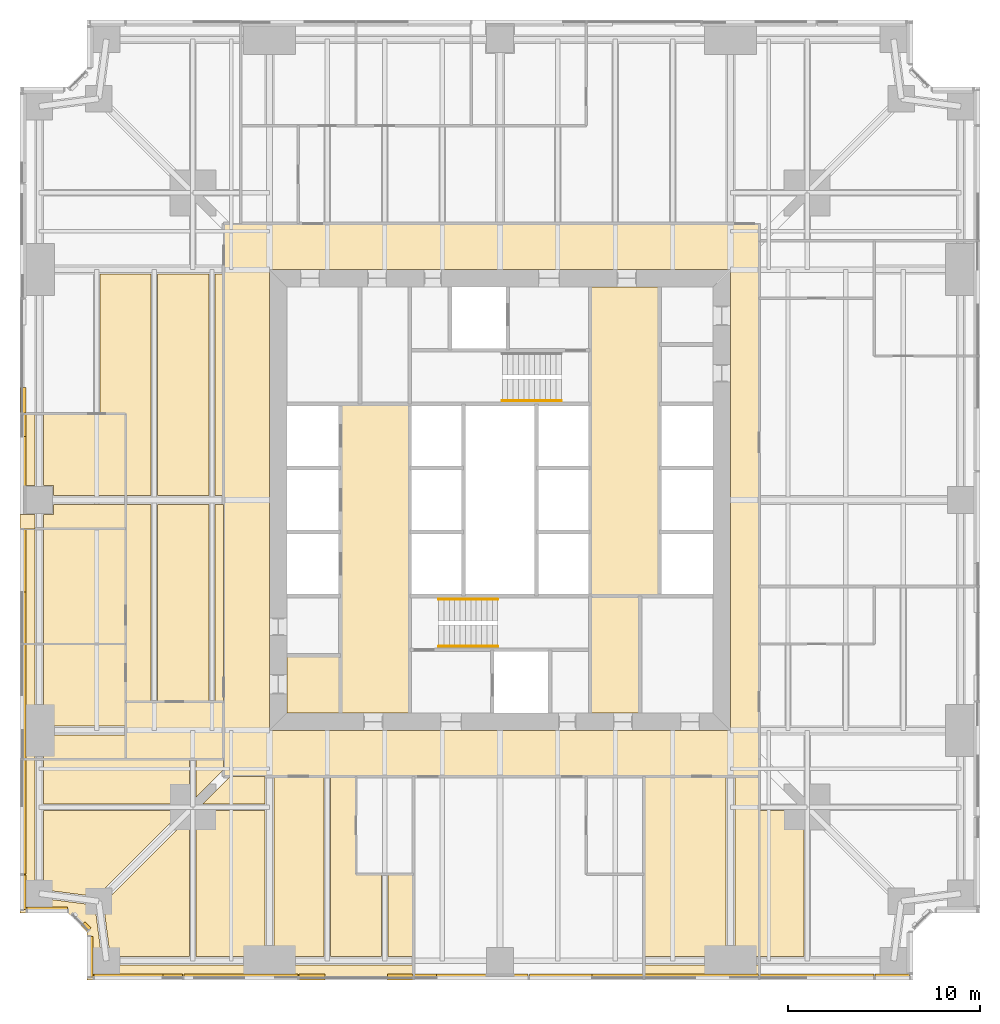
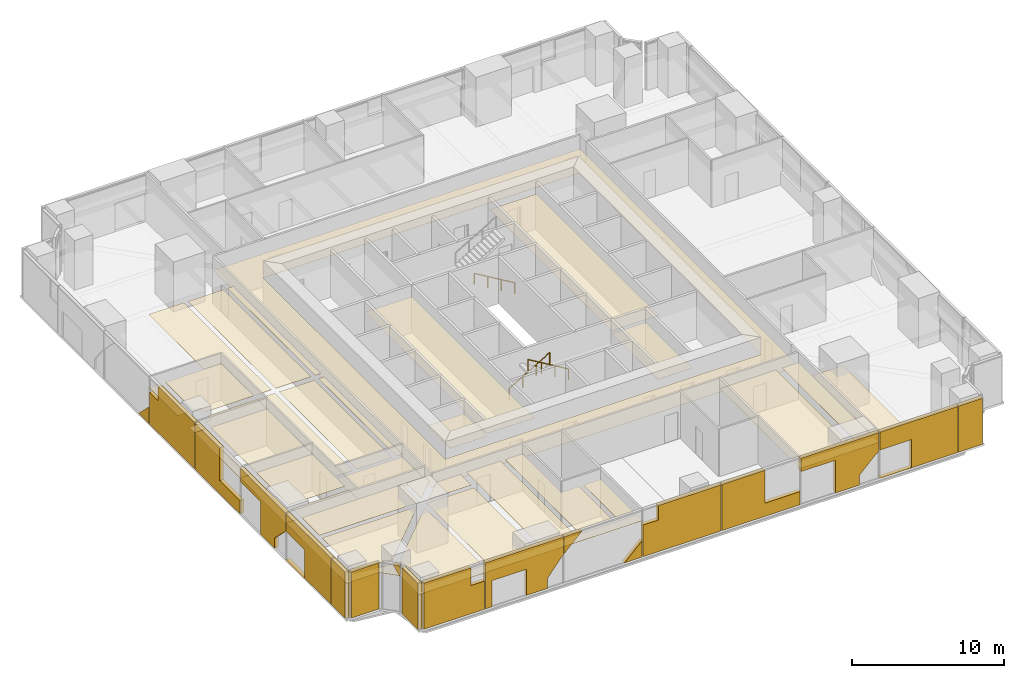
# One storey, part 12 of 14: 53 coverings, 3 railings.
"""IFC4 building model written with IfcOpenShell, lengths in metres."""

from ifc_helpers import new_model, si_unit, direction, frame, origin, origin_2d, place, context, subcontext, project, spatial, polyline, circle, outline, extrude, material, layer, layer_set, type_object, element, save


model = new_model("IFC4")

# Units and contexts
model_context = context("Model", 3, precision=1e-05, world=origin(), true_north=direction((0.0, 1.0)))
body_context = subcontext(model_context, "Body", "Model", "MODEL_VIEW")
ifc_project = project(units=[si_unit("LENGTHUNIT", "METRE"), si_unit("AREAUNIT", "SQUARE_METRE"), si_unit("VOLUMEUNIT", "CUBIC_METRE"), si_unit("PLANEANGLEUNIT", "RADIAN"), si_unit("MASSUNIT", "GRAM", prefix="KILO")], contexts=[model_context])

# Site, building, storey
site_placement = place(None, origin())
site = spatial("IfcSite", under=ifc_project, at=site_placement, CompositionType="ELEMENT")
building_placement = place(site_placement, origin())
building = spatial("IfcBuilding", under=site, at=building_placement, Name="Fenwick Lantern Interchange", CompositionType="ELEMENT")
storey_placement = place(building_placement, frame((0.0, 0.0, 87.0)))
storey = spatial("IfcBuildingStorey", under=building, at=storey_placement, Name="L20", CompositionType="ELEMENT", Elevation=87.0)

# Coverings
ifc_material_1 = material(Name="Mineral fibre acoustic tile on suspended grid")
ifc_layer_1 = layer(ifc_material_1, 0.02001953125)
ifc_layer_set_1 = layer_set([ifc_layer_1], Name="ACOUSTIC TILE CEILING 20")
covering_type_1 = type_object("IfcCoveringType", Name="ACOUSTIC TILE CEILING 20", PredefinedType="CEILING", material=ifc_layer_set_1)
covering_1_placement = place(storey_placement, frame((0.0, 0.0, 2.89990234375)))
element("IfcCovering", 1, at=covering_1_placement, inside=storey, type_object=covering_type_1, Name="Office suite ceiling", PredefinedType="CEILING", context=body_context, shape_type="SweptSolid", body=[
    extrude(outline(polyline([(9.172119140625, 8.827880859375), (9.166015625, 8.82177734375), (9.166015625, 1.224365234375), (12.767822265625, 1.224365234375), (12.767822265625, 8.833984375), (9.17822265625, 8.833984375), (9.172119140625, 8.827880859375)])), origin(), (0.0, 0.0, 1.0), 0.02001953125),
])
covering_2_placement = place(storey_placement, frame((0.0, 0.0, 2.89990234375)))
element("IfcCovering", 2, at=covering_2_placement, inside=storey, type_object=covering_type_1, Name="Office suite ceiling", PredefinedType="CEILING", context=body_context, shape_type="SweptSolid", body=[
    extrude(outline(polyline([(15.833984375, 10.60009765625), (13.232177734375, 10.60009765625), (13.232177734375, 1.224365234375), (15.833984375, 1.224365234375), (15.833984375, 10.60009765625)])), origin(), (0.0, 0.0, 1.0), 0.02001953125),
])
covering_3_placement = place(storey_placement, frame((0.0, 0.0, 2.89990234375)))
element("IfcCovering", 3, at=covering_3_placement, inside=storey, type_object=covering_type_1, Name="Office suite ceiling", PredefinedType="CEILING", context=body_context, shape_type="SweptSolid", body=[
    extrude(outline(polyline([(20.5, 0.0), (20.5, 0.775634765625), (13.0, 0.775634765625), (13.0, 0.775634765625), (4.5, 0.775634765625), (4.5, 1.0), (4.27734375, 0.97119140625), (3.8994140625, 3.8994140625), (0.97119140625, 4.27734375), (1.0, 4.5), (0.775634765625, 4.5), (0.775634765625, 11.5), (0.0, 11.5), (0.0, 3.5), (2.5, 3.5), (3.5, 2.5), (3.5, 0.0), (20.5, 0.0)])), origin(), (0.0, 0.0, 1.0), 0.02001953125),
])
covering_4_placement = place(storey_placement, frame((0.0, 0.0, 2.89990234375)))
element("IfcCovering", 4, at=covering_4_placement, inside=storey, type_object=covering_type_1, Name="Office suite ceiling", PredefinedType="CEILING", context=body_context, shape_type="SweptSolid", body=[
    extrude(outline(polyline([(3.995361328125, 4.33984375), (8.489501953125, 8.833984375), (1.224365234375, 8.833984375), (1.224365234375, 4.697265625), (3.995361328125, 4.33984375)])), origin(), (0.0, 0.0, 1.0), 0.02001953125),
])
covering_5_placement = place(storey_placement, frame((0.0, 0.0, 2.89990234375)))
element("IfcCovering", 5, at=covering_5_placement, inside=storey, type_object=covering_type_1, Name="Office suite ceiling", PredefinedType="CEILING", context=body_context, shape_type="SweptSolid", body=[
    extrude(outline(polyline([(4.697265625, 1.224365234375), (8.833984375, 1.224365234375), (8.833984375, 8.489501953125), (4.33984375, 3.995361328125), (4.697265625, 1.224365234375)])), origin(), (0.0, 0.0, 1.0), 0.02001953125),
])
covering_6_placement = place(storey_placement, frame((0.0, 0.0, 2.89990234375)))
element("IfcCovering", 6, at=covering_6_placement, inside=storey, type_object=covering_type_1, Name="Office suite ceiling", PredefinedType="CEILING", context=body_context, shape_type="SweptSolid", body=[
    extrude(outline(polyline([(17.5, 10.60009765625), (16.166015625, 10.60009765625), (16.166015625, 1.224365234375), (18.833984375, 1.224365234375), (18.833984375, 5.5), (17.5, 5.5), (17.5, 10.60009765625)])), origin(), (0.0, 0.0, 1.0), 0.02001953125),
])
covering_7_placement = place(storey_placement, frame((0.0, 0.0, 2.89990234375)))
element("IfcCovering", 7, at=covering_7_placement, inside=storey, type_object=covering_type_1, Name="Office suite ceiling", PredefinedType="CEILING", context=body_context, shape_type="SweptSolid", body=[
    extrude(outline(polyline([(8.833984375, 11.5), (1.224365234375, 11.5), (1.224365234375, 9.166015625), (8.82177734375, 9.166015625), (8.827880859375, 9.172119140625), (8.833984375, 9.17822265625), (8.833984375, 11.5)])), origin(), (0.0, 0.0, 1.0), 0.02001953125),
])
covering_8_placement = place(storey_placement, frame((0.0, 0.0, 2.89990234375)))
element("IfcCovering", 8, at=covering_8_placement, inside=storey, type_object=covering_type_1, Name="Office suite ceiling", PredefinedType="CEILING", context=body_context, shape_type="SweptSolid", body=[
    extrude(outline(polyline([(20.5, 1.224365234375), (20.5, 5.5), (19.166015625, 5.5), (19.166015625, 1.224365234375), (20.5, 1.224365234375)])), origin(), (0.0, 0.0, 1.0), 0.02001953125),
])
covering_9_placement = place(storey_placement, frame((0.0, 0.0, 2.89990234375)))
element("IfcCovering", 9, at=covering_9_placement, inside=storey, type_object=covering_type_1, Name="Office suite ceiling", PredefinedType="CEILING", context=body_context, shape_type="SweptSolid", body=[
    extrude(outline(polyline([(12.767822265625, 10.60009765625), (10.9443359375, 10.60009765625), (9.510498046875, 9.166015625), (12.767822265625, 9.166015625), (12.767822265625, 10.60009765625)])), origin(), (0.0, 0.0, 1.0), 0.02001953125),
])
covering_10_placement = place(storey_placement, frame((0.0, 0.0, 2.89990234375)))
element("IfcCovering", 10, at=covering_10_placement, inside=storey, type_object=covering_type_1, Name="Office suite ceiling", PredefinedType="CEILING", context=body_context, shape_type="SweptSolid", body=[
    extrude(outline(polyline([(10.60009765625, 11.5), (9.166015625, 11.5), (9.166015625, 9.510498046875), (10.60009765625, 10.9443359375), (10.60009765625, 11.5)])), origin(), (0.0, 0.0, 1.0), 0.02001953125),
])
covering_11_placement = place(storey_placement, frame((0.0, 0.0, 2.88427734375)))
element("IfcCovering", 11, at=covering_11_placement, inside=storey, type_object=covering_type_1, Name="Office suite ceiling", PredefinedType="CEILING", context=body_context, shape_type="SweptSolid", body=[
    extrude(outline(polyline([(32.5, 10.60009765625), (32.5, 1.224365234375), (36.767822265625, 1.224365234375), (36.767822265625, 10.60009765625), (32.5, 10.60009765625)])), origin(), (0.0, 0.0, 1.0), 0.02001953125),
])
covering_12_placement = place(storey_placement, frame((0.0, 0.0, 2.88427734375)))
element("IfcCovering", 12, at=covering_12_placement, inside=storey, type_object=covering_type_1, Name="Office suite ceiling", PredefinedType="CEILING", context=body_context, shape_type="SweptSolid", body=[
    extrude(outline(polyline([(38.5, 10.60009765625), (37.232177734375, 10.60009765625), (37.232177734375, 1.224365234375), (38.5, 1.224365234375), (38.5, 10.60009765625)])), origin(), (0.0, 0.0, 1.0), 0.02001953125),
])
covering_13_placement = place(storey_placement, frame((0.0, 0.0, 2.88427734375)))
element("IfcCovering", 13, at=covering_13_placement, inside=storey, type_object=covering_type_1, Name="Office suite ceiling", PredefinedType="CEILING", context=body_context, shape_type="SweptSolid", body=[
    extrude(outline(polyline([(32.5, 0.0), (38.5, 0.0), (38.5, 0.775634765625), (37.0, 0.775634765625), (37.0, 0.775634765625), (32.5, 0.775634765625), (32.5, 0.0)])), origin(), (0.0, 0.0, 1.0), 0.02001953125),
])
covering_14_placement = place(storey_placement, frame((0.0, 0.0, 2.89990234375)))
element("IfcCovering", 14, at=covering_14_placement, inside=storey, type_object=covering_type_1, Name="Office suite ceiling", PredefinedType="CEILING", context=body_context, shape_type="SweptSolid", body=[
    extrude(outline(polyline([(38.5, 8.833984375), (38.5, 1.224365234375), (40.833984375, 1.224365234375), (40.833984375, 8.82177734375), (40.827880859375, 8.827880859375), (40.82177734375, 8.833984375), (38.5, 8.833984375)])), origin(), (0.0, 0.0, 1.0), 0.02001953125),
])
covering_15_placement = place(storey_placement, frame((0.0, 0.0, 2.89990234375)))
element("IfcCovering", 15, at=covering_15_placement, inside=storey, type_object=covering_type_1, Name="Office suite ceiling", PredefinedType="CEILING", context=body_context, shape_type="SweptSolid", body=[
    extrude(outline(polyline([(7.166015625, 25.224365234375), (9.833984375, 25.224365234375), (9.833984375, 36.767822265625), (7.166015625, 36.767822265625), (7.166015625, 25.224365234375)])), origin(), (0.0, 0.0, 1.0), 0.02001953125),
])
covering_16_placement = place(storey_placement, frame((0.0, 0.0, 2.89990234375)))
element("IfcCovering", 16, at=covering_16_placement, inside=storey, type_object=covering_type_1, Name="Office suite ceiling", PredefinedType="CEILING", context=body_context, shape_type="SweptSolid", body=[
    extrude(outline(polyline([(7.166015625, 14.5), (9.833984375, 14.5), (9.833984375, 24.775634765625), (7.166015625, 24.775634765625), (7.166015625, 14.5)])), origin(), (0.0, 0.0, 1.0), 0.02001953125),
])
covering_17_placement = place(storey_placement, frame((0.0, 0.0, 2.89990234375)))
element("IfcCovering", 17, at=covering_17_placement, inside=storey, type_object=covering_type_1, Name="Office suite ceiling", PredefinedType="CEILING", context=body_context, shape_type="SweptSolid", body=[
    extrude(outline(polyline([(5.5, 29.5), (5.5, 25.224365234375), (6.833984375, 25.224365234375), (6.833984375, 36.767822265625), (4.166015625, 36.767822265625), (4.166015625, 29.5), (5.5, 29.5)])), origin(), (0.0, 0.0, 1.0), 0.02001953125),
])
covering_18_placement = place(storey_placement, frame((0.0, 0.0, 2.89990234375)))
element("IfcCovering", 18, at=covering_18_placement, inside=storey, type_object=covering_type_1, Name="Office suite ceiling", PredefinedType="CEILING", context=body_context, shape_type="SweptSolid", body=[
    extrude(outline(polyline([(5.5, 14.5), (6.833984375, 14.5), (6.833984375, 24.775634765625), (5.5, 24.775634765625), (5.5, 14.5)])), origin(), (0.0, 0.0, 1.0), 0.02001953125),
])
covering_19_placement = place(storey_placement, frame((0.0, 0.0, 2.89990234375)))
element("IfcCovering", 19, at=covering_19_placement, inside=storey, type_object=covering_type_1, Name="Office suite ceiling", PredefinedType="CEILING", context=body_context, shape_type="SweptSolid", body=[
    extrude(outline(polyline([(10.60009765625, 25.224365234375), (10.60009765625, 36.767822265625), (10.166015625, 36.767822265625), (10.166015625, 25.224365234375), (10.60009765625, 25.224365234375)])), origin(), (0.0, 0.0, 1.0), 0.02001953125),
])
covering_20_placement = place(storey_placement, frame((0.0, 0.0, 2.89990234375)))
element("IfcCovering", 20, at=covering_20_placement, inside=storey, type_object=covering_type_1, Name="Office suite ceiling", PredefinedType="CEILING", context=body_context, shape_type="SweptSolid", body=[
    extrude(outline(polyline([(10.60009765625, 14.5), (10.60009765625, 24.775634765625), (10.166015625, 24.775634765625), (10.166015625, 14.5), (10.60009765625, 14.5)])), origin(), (0.0, 0.0, 1.0), 0.02001953125),
])
covering_21_placement = place(storey_placement, frame((0.0, 0.0, 2.88427734375)))
element("IfcCovering", 21, at=covering_21_placement, inside=storey, type_object=covering_type_1, Name="Office ceiling", PredefinedType="CEILING", context=body_context, shape_type="SweptSolid", body=[
    extrude(outline(polyline([(5.5, 29.5), (1.224365234375, 29.5), (1.224365234375, 25.75), (1.75, 25.75), (1.75, 25.224365234375), (5.5, 25.224365234375), (5.5, 29.5)])), origin(), (0.0, 0.0, 1.0), 0.02001953125),
])
covering_22_placement = place(storey_placement, frame((0.0, 0.0, 2.88427734375)))
element("IfcCovering", 22, at=covering_22_placement, inside=storey, type_object=covering_type_1, Name="Office ceiling", PredefinedType="CEILING", context=body_context, shape_type="SweptSolid", body=[
    extrude(outline(polyline([(5.5, 23.5), (5.5, 24.775634765625), (1.75, 24.775634765625), (1.75, 24.25), (1.224365234375, 24.25), (1.224365234375, 23.5), (5.5, 23.5)])), origin(), (0.0, 0.0, 1.0), 0.02001953125),
])
covering_23_placement = place(storey_placement, frame((0.0, 0.0, 2.88427734375)))
element("IfcCovering", 23, at=covering_23_placement, inside=storey, type_object=covering_type_1, Name="Office ceiling", PredefinedType="CEILING", context=body_context, shape_type="SweptSolid", body=[
    extrude(outline(polyline([(0.775634765625, 29.5), (0.0, 29.5), (0.0, 25.75), (0.775634765625, 25.75), (0.775634765625, 29.5)])), origin(), (0.0, 0.0, 1.0), 0.02001953125),
])
covering_24_placement = place(storey_placement, frame((0.0, 0.0, 2.88427734375)))
element("IfcCovering", 24, at=covering_24_placement, inside=storey, type_object=covering_type_1, Name="Office ceiling", PredefinedType="CEILING", context=body_context, shape_type="SweptSolid", body=[
    extrude(outline(polyline([(0.0, 23.5), (0.775634765625, 23.5), (0.775634765625, 24.25), (0.0, 24.25), (0.0, 23.5)])), origin(), (0.0, 0.0, 1.0), 0.02001953125),
])
covering_25_placement = place(storey_placement, frame((0.0, 0.0, 2.88427734375)))
element("IfcCovering", 25, at=covering_25_placement, inside=storey, type_object=covering_type_1, Name="Meeting room ceiling", PredefinedType="CEILING", context=body_context, shape_type="SweptSolid", body=[
    extrude(outline(polyline([(5.5, 23.5), (1.224365234375, 23.5), (1.224365234375, 17.5), (5.5, 17.5), (5.5, 23.5)])), origin(), (0.0, 0.0, 1.0), 0.02001953125),
])
covering_26_placement = place(storey_placement, frame((0.0, 0.0, 2.88427734375)))
element("IfcCovering", 26, at=covering_26_placement, inside=storey, type_object=covering_type_1, Name="Meeting room ceiling", PredefinedType="CEILING", context=body_context, shape_type="SweptSolid", body=[
    extrude(outline(polyline([(0.0, 17.5), (0.775634765625, 17.5), (0.775634765625, 23.5), (0.0, 23.5), (0.0, 17.5)])), origin(), (0.0, 0.0, 1.0), 0.02001953125),
])
covering_27_placement = place(storey_placement, frame((0.0, 0.0, 2.88427734375)))
element("IfcCovering", 27, at=covering_27_placement, inside=storey, type_object=covering_type_1, Name="Office ceiling", PredefinedType="CEILING", context=body_context, shape_type="SweptSolid", body=[
    extrude(outline(polyline([(5.5, 17.5), (1.224365234375, 17.5), (1.224365234375, 13.232177734375), (5.5, 13.232177734375), (5.5, 17.5)])), origin(), (0.0, 0.0, 1.0), 0.02001953125),
])
covering_28_placement = place(storey_placement, frame((0.0, 0.0, 2.88427734375)))
element("IfcCovering", 28, at=covering_28_placement, inside=storey, type_object=covering_type_1, Name="Office ceiling", PredefinedType="CEILING", context=body_context, shape_type="SweptSolid", body=[
    extrude(outline(polyline([(5.5, 11.5), (5.5, 12.767822265625), (1.224365234375, 12.767822265625), (1.224365234375, 11.5), (5.5, 11.5)])), origin(), (0.0, 0.0, 1.0), 0.02001953125),
])
covering_29_placement = place(storey_placement, frame((0.0, 0.0, 2.88427734375)))
element("IfcCovering", 29, at=covering_29_placement, inside=storey, type_object=covering_type_1, Name="Office ceiling", PredefinedType="CEILING", context=body_context, shape_type="SweptSolid", body=[
    extrude(outline(polyline([(0.0, 11.5), (0.775634765625, 11.5), (0.775634765625, 13.0), (0.775634765625, 13.0), (0.775634765625, 17.5), (0.0, 17.5), (0.0, 11.5)])), origin(), (0.0, 0.0, 1.0), 0.02001953125),
])
ifc_material_2 = material(Name="Granite cladding, warm grey flamed finish, on aluminium carrier frame", Category="masonry")
ifc_layer_2 = layer(ifc_material_2, 0.300048828125)
ifc_layer_set_2 = layer_set([ifc_layer_2], Name="BRACE CASING PANEL 300")
covering_type_2 = type_object("IfcCoveringType", Name="BRACE CASING PANEL 300", PredefinedType="CLADDING", material=ifc_layer_set_2)
covering_30_placement = place(storey_placement, frame((3.60009765625, 0.10009765625, 0.0), z_axis=(0.0, 0.0, 1.0), x_axis=(1.0, 0.0, 0.0)))
element("IfcCovering", 30, at=covering_30_placement, inside=storey, type_object=covering_type_2, Name="Brace casing 01 bay 00a", PredefinedType="CLADDING", context=body_context, shape_type="SweptSolid", body=[
    extrude(outline(polyline([(0.264892578125, 0.0), (4.867431640625, 0.0), (4.867431640625, 2.259765625), (3.841796875, 2.259765625), (3.841796875, 3.699951171875), (0.264892578125, 3.699951171875), (0.264892578125, 0.0)])), frame((0.0, 0.2001953125, 0.0), z_axis=(0.0, -1.0, 0.0), x_axis=(1.0, 0.0, 0.0)), (0.0, 0.0, 1.0), 0.300048828125),
])
covering_31_placement = place(storey_placement, frame((3.60009765625, 0.10009765625, 0.0), z_axis=(0.0, 0.0, 1.0), x_axis=(1.0, 0.0, 0.0)))
element("IfcCovering", 31, at=covering_31_placement, inside=storey, type_object=covering_type_2, Name="Brace casing 01 bay 01a", PredefinedType="CLADDING", context=body_context, shape_type="SweptSolid", body=[
    extrude(outline(polyline([(4.9326171875, 0.0), (5.46240234375, 0.0), (5.46240234375, 2.098876953125), (8.08251953125, 2.098876953125), (8.08251953125, 0.0), (9.68115234375, 0.0), (9.68115234375, 0.820068359375), (10.7431640625, 2.147705078125), (10.867431640625, 2.27197265625), (10.867431640625, 3.699951171875), (4.9326171875, 3.699951171875), (4.9326171875, 0.0)])), frame((0.0, 0.2001953125, 0.0), z_axis=(0.0, -1.0, 0.0), x_axis=(1.0, 0.0, 0.0)), (0.0, 0.0, 1.0), 0.300048828125),
])
covering_32_placement = place(storey_placement, frame((3.60009765625, 0.10009765625, 2.3369140625), z_axis=(0.0, 0.0, 1.0), x_axis=(1.0, 0.0, 0.0)))
element("IfcCovering", 32, at=covering_32_placement, inside=storey, type_object=covering_type_2, Name="Brace casing 01 bay 02a", PredefinedType="CLADDING", context=body_context, shape_type="SweptSolid", body=[
    extrude(outline(polyline([(10.9326171875, 0.0), (12.295654296875, 1.363037109375), (10.9326171875, 1.363037109375), (10.9326171875, 0.0)])), frame((0.0, 0.2001953125, 0.0), z_axis=(0.0, -1.0, 0.0), x_axis=(1.0, 0.0, 0.0)), (0.0, 0.0, 1.0), 0.300048828125),
])
covering_33_placement = place(storey_placement, frame((3.60009765625, 0.10009765625, 0.0), z_axis=(0.0, 0.0, 1.0), x_axis=(1.0, 0.0, 0.0)))
element("IfcCovering", 33, at=covering_33_placement, inside=storey, type_object=covering_type_2, Name="Brace casing 01 bay 02b", PredefinedType="CLADDING", context=body_context, shape_type="SweptSolid", body=[
    extrude(outline(polyline([(15.53125, 0.0), (16.867431640625, 0.0), (16.867431640625, 1.3232421875), (15.53125, 0.0)])), frame((0.0, 0.2001953125, 0.0), z_axis=(0.0, -1.0, 0.0), x_axis=(1.0, 0.0, 0.0)), (0.0, 0.0, 1.0), 0.300048828125),
])
covering_34_placement = place(storey_placement, frame((3.60009765625, 0.10009765625, 0.0), z_axis=(0.0, 0.0, 1.0), x_axis=(1.0, 0.0, 0.0)))
element("IfcCovering", 34, at=covering_34_placement, inside=storey, type_object=covering_type_2, Name="Brace casing 01 bay 03a", PredefinedType="CLADDING", context=body_context, shape_type="SweptSolid", body=[
    extrude(outline(polyline([(16.9326171875, 0.0), (22.867431640625, 0.0), (22.867431640625, 3.699951171875), (18.097412109375, 3.699951171875), (18.097412109375, 2.54150390625), (16.9326171875, 2.54150390625), (16.9326171875, 0.0)])), frame((0.0, 0.2001953125, 0.0), z_axis=(0.0, -1.0, 0.0), x_axis=(1.0, 0.0, 0.0)), (0.0, 0.0, 1.0), 0.300048828125),
])
covering_35_placement = place(storey_placement, frame((3.60009765625, 0.10009765625, 0.0), z_axis=(0.0, 0.0, 1.0), x_axis=(1.0, 0.0, 0.0)))
element("IfcCovering", 35, at=covering_35_placement, inside=storey, type_object=covering_type_2, Name="Brace casing 01 bay 04a", PredefinedType="CLADDING", context=body_context, shape_type="SweptSolid", body=[
    extrude(outline(polyline([(22.9326171875, 0.0), (28.867431640625, 0.0), (28.867431640625, 1.057373046875), (26.200927734375, 1.057373046875), (26.200927734375, 3.699951171875), (22.9326171875, 3.699951171875), (22.9326171875, 0.0)])), frame((0.0, 0.2001953125, 0.0), z_axis=(0.0, -1.0, 0.0), x_axis=(1.0, 0.0, 0.0)), (0.0, 0.0, 1.0), 0.300048828125),
])
covering_36_placement = place(storey_placement, frame((3.60009765625, 0.10009765625, 0.0), z_axis=(0.0, 0.0, 1.0), x_axis=(1.0, 0.0, 0.0)))
element("IfcCovering", 36, at=covering_36_placement, inside=storey, type_object=covering_type_2, Name="Brace casing 01 bay 05a", PredefinedType="CLADDING", context=body_context, shape_type="SweptSolid", body=[
    extrude(outline(polyline([(31.567626953125, 0.0), (33.39990234375, 0.0), (33.39990234375, 0.804443359375), (34.602294921875, 2.0068359375), (34.867431640625, 2.218994140625), (34.867431640625, 3.699951171875), (28.9326171875, 3.699951171875), (28.9326171875, 2.636962890625), (31.567626953125, 2.636962890625), (31.567626953125, 0.0)])), frame((0.0, 0.2001953125, 0.0), z_axis=(0.0, -1.0, 0.0), x_axis=(1.0, 0.0, 0.0)), (0.0, 0.0, 1.0), 0.300048828125),
])
covering_37_placement = place(storey_placement, frame((3.60009765625, 0.10009765625, 0.0), z_axis=(0.0, 0.0, 1.0), x_axis=(1.0, 0.0, 0.0)))
element("IfcCovering", 37, at=covering_37_placement, inside=storey, type_object=covering_type_2, Name="Brace casing 01 bay 06a", PredefinedType="CLADDING", context=body_context, shape_type="SweptSolid", body=[
    extrude(outline(polyline([(34.9326171875, 0.0), (40.867431640625, 0.0), (40.867431640625, 3.699951171875), (34.9326171875, 3.699951171875), (34.9326171875, 2.27099609375), (37.342529296875, 2.27099609375), (37.342529296875, 0.000732421875), (34.9326171875, 0.000732421875), (34.9326171875, 0.0)])), frame((0.0, 0.2001953125, 0.0), z_axis=(0.0, -1.0, 0.0), x_axis=(1.0, 0.0, 0.0)), (0.0, 0.0, 1.0), 0.300048828125),
])
covering_38_placement = place(storey_placement, frame((3.60009765625, 0.10009765625, 0.0), z_axis=(0.0, 0.0, 1.0), x_axis=(1.0, 0.0, 0.0)))
element("IfcCovering", 38, at=covering_38_placement, inside=storey, type_object=covering_type_2, Name="Brace casing 01 bay 07a", PredefinedType="CLADDING", context=body_context, shape_type="SweptSolid", body=[
    extrude(outline(polyline([(40.9326171875, 0.0), (42.735107421875, 0.0), (42.735107421875, 3.699951171875), (40.9326171875, 3.699951171875), (40.9326171875, 0.0)])), frame((0.0, 0.2001953125, 0.0), z_axis=(0.0, -1.0, 0.0), x_axis=(1.0, 0.0, 0.0)), (0.0, 0.0, 1.0), 0.300048828125),
])
covering_39_placement = place(storey_placement, frame((0.10009765625, 46.39990234375, 0.0), z_axis=(0.0, 0.0, 1.0), x_axis=(0.0, -1.0, 0.0)))
element("IfcCovering", 39, at=covering_39_placement, inside=storey, type_object=covering_type_2, Name="Brace casing 13 bay 02b", PredefinedType="CLADDING", context=body_context, shape_type="SweptSolid", body=[
    extrude(outline(polyline([(15.53125, 0.0), (16.867431640625, 0.0), (16.867431640625, 1.3232421875), (15.53125, 0.0)])), frame((0.0, 0.2001953125, 0.0), z_axis=(0.0, -1.0, 0.0), x_axis=(1.0, 0.0, 0.0)), (0.0, 0.0, 1.0), 0.300048828125),
])
covering_40_placement = place(storey_placement, frame((0.10009765625, 46.39990234375, 0.0), z_axis=(0.0, 0.0, 1.0), x_axis=(0.0, -1.0, 0.0)))
element("IfcCovering", 40, at=covering_40_placement, inside=storey, type_object=covering_type_2, Name="Brace casing 13 bay 03a", PredefinedType="CLADDING", context=body_context, shape_type="SweptSolid", body=[
    extrude(outline(polyline([(16.9326171875, 0.0), (22.867431640625, 0.0), (22.867431640625, 3.699951171875), (18.097412109375, 3.699951171875), (18.097412109375, 2.54150390625), (16.9326171875, 2.54150390625), (16.9326171875, 0.0)])), frame((0.0, 0.2001953125, 0.0), z_axis=(0.0, -1.0, 0.0), x_axis=(1.0, 0.0, 0.0)), (0.0, 0.0, 1.0), 0.300048828125),
])
covering_41_placement = place(storey_placement, frame((0.10009765625, 46.39990234375, 0.0), z_axis=(0.0, 0.0, 1.0), x_axis=(0.0, -1.0, 0.0)))
element("IfcCovering", 41, at=covering_41_placement, inside=storey, type_object=covering_type_2, Name="Brace casing 13 bay 04a", PredefinedType="CLADDING", context=body_context, shape_type="SweptSolid", body=[
    extrude(outline(polyline([(22.9326171875, 0.0), (28.867431640625, 0.0), (28.867431640625, 1.057373046875), (26.200927734375, 1.057373046875), (26.200927734375, 3.699951171875), (22.9326171875, 3.699951171875), (22.9326171875, 0.0)])), frame((0.0, 0.2001953125, 0.0), z_axis=(0.0, -1.0, 0.0), x_axis=(1.0, 0.0, 0.0)), (0.0, 0.0, 1.0), 0.300048828125),
])
covering_42_placement = place(storey_placement, frame((0.10009765625, 46.39990234375, 0.0), z_axis=(0.0, 0.0, 1.0), x_axis=(0.0, -1.0, 0.0)))
element("IfcCovering", 42, at=covering_42_placement, inside=storey, type_object=covering_type_2, Name="Brace casing 13 bay 05a", PredefinedType="CLADDING", context=body_context, shape_type="SweptSolid", body=[
    extrude(outline(polyline([(31.567626953125, 0.0), (33.39990234375, 0.0), (33.39990234375, 0.804443359375), (34.602294921875, 2.0068359375), (34.867431640625, 2.218994140625), (34.867431640625, 3.699951171875), (28.9326171875, 3.699951171875), (28.9326171875, 2.636962890625), (31.567626953125, 2.636962890625), (31.567626953125, 0.0)])), frame((0.0, 0.2001953125, 0.0), z_axis=(0.0, -1.0, 0.0), x_axis=(1.0, 0.0, 0.0)), (0.0, 0.0, 1.0), 0.300048828125),
])
covering_43_placement = place(storey_placement, frame((0.10009765625, 46.39990234375, 0.0), z_axis=(0.0, 0.0, 1.0), x_axis=(0.0, -1.0, 0.0)))
element("IfcCovering", 43, at=covering_43_placement, inside=storey, type_object=covering_type_2, Name="Brace casing 13 bay 06a", PredefinedType="CLADDING", context=body_context, shape_type="SweptSolid", body=[
    extrude(outline(polyline([(34.9326171875, 0.0), (40.867431640625, 0.0), (40.867431640625, 3.699951171875), (34.9326171875, 3.699951171875), (34.9326171875, 2.27099609375), (37.342529296875, 2.27099609375), (37.342529296875, 0.000732421875), (34.9326171875, 0.000732421875), (34.9326171875, 0.0)])), frame((0.0, 0.2001953125, 0.0), z_axis=(0.0, -1.0, 0.0), x_axis=(1.0, 0.0, 0.0)), (0.0, 0.0, 1.0), 0.300048828125),
])
covering_44_placement = place(storey_placement, frame((0.10009765625, 46.39990234375, 0.0), z_axis=(0.0, 0.0, 1.0), x_axis=(0.0, -1.0, 0.0)))
element("IfcCovering", 44, at=covering_44_placement, inside=storey, type_object=covering_type_2, Name="Brace casing 13 bay 07a", PredefinedType="CLADDING", context=body_context, shape_type="SweptSolid", body=[
    extrude(outline(polyline([(40.9326171875, 0.0), (42.735107421875, 0.0), (42.735107421875, 3.699951171875), (40.9326171875, 3.699951171875), (40.9326171875, 0.0)])), frame((0.0, 0.2001953125, 0.0), z_axis=(0.0, -1.0, 0.0), x_axis=(1.0, 0.0, 0.0)), (0.0, 0.0, 1.0), 0.300048828125),
])
covering_45_placement = place(storey_placement, frame((0.10009765625, 3.60009765625, 0.0), z_axis=(0.0, 0.0, 1.0), x_axis=(1.0, 0.0, 0.0)))
element("IfcCovering", 45, at=covering_45_placement, inside=storey, type_object=covering_type_2, Name="Brace casing 14 bay 00a", PredefinedType="CLADDING", context=body_context, shape_type="SweptSolid", body=[
    extrude(outline(polyline([(0.264892578125, 0.0), (2.37646484375, 0.0), (2.37646484375, 3.699951171875), (0.264892578125, 3.699951171875), (0.264892578125, 0.0)])), frame((0.0, 0.2001953125, 0.0), z_axis=(0.0, -1.0, 0.0), x_axis=(1.0, 0.0, 0.0)), (0.0, 0.0, 1.0), 0.300048828125),
])
covering_46_placement = place(storey_placement, frame((2.54150390625, 3.60009765625, 2.832763671875), z_axis=(0.0, 0.0, 1.0), x_axis=(0.707106781187, -0.707106781187, 0.0)))
element("IfcCovering", 46, at=covering_46_placement, inside=storey, type_object=covering_type_2, Name="Brace casing 15 bay 00b", PredefinedType="CLADDING", context=body_context, shape_type="SweptSolid", body=[
    extrude(outline(polyline([(1.43212890625, 0.0), (1.43212890625, 0.8671875), (0.993408203125, 0.8671875), (1.43212890625, 0.0)])), frame((0.0, 0.2001953125, 0.0), z_axis=(0.0, -1.0, 0.0), x_axis=(1.0, 0.0, 0.0)), (0.0, 0.0, 1.0), 0.300048828125),
])
covering_47_placement = place(storey_placement, frame((3.60009765625, 2.54150390625, 0.0), z_axis=(0.0, 0.0, 1.0), x_axis=(0.0, -1.0, 0.0)))
element("IfcCovering", 47, at=covering_47_placement, inside=storey, type_object=covering_type_2, Name="Brace casing 16 bay 00a", PredefinedType="CLADDING", context=body_context, shape_type="SweptSolid", body=[
    extrude(outline(polyline([(0.264892578125, 0.0), (2.37646484375, 0.0), (2.37646484375, 3.699951171875), (0.264892578125, 3.699951171875), (0.264892578125, 0.0)])), frame((0.0, 0.2001953125, 0.0), z_axis=(0.0, -1.0, 0.0), x_axis=(1.0, 0.0, 0.0)), (0.0, 0.0, 1.0), 0.300048828125),
])

# Railings
ifc_material_3 = material(Name="Stainless steel handrail", Category="steel")
railing_type = type_object("IfcRailingType", Name="HANDRAIL 900", PredefinedType="HANDRAIL", material=ifc_material_3)
railing_placement = place(storey_placement, frame((21.800048828125, 19.825927734375, 0.166748046875)))
element("IfcRailing", 48, at=railing_placement, inside=storey, type_object=railing_type, Name="L20/STAIR/ST1/HR1", PredefinedType="HANDRAIL", context=body_context, shape_type="SweptSolid", body=[
    extrude(circle(Radius=0.02392578125, at=origin_2d()), frame((0.0, 0.0, 0.8759765625), z_axis=(0.859290745958, 0.0, 0.51148745235), x_axis=(0.0, 1.0, 0.0)), (0.0, 0.0, 1.0), 3.584228515625),
    extrude(circle(Radius=0.02099609375, at=origin_2d()), origin(), (0.0, 0.0, 1.0), 0.851806640625),
    extrude(circle(Radius=0.02099609375, at=origin_2d()), frame((1.026611328125, 0.0, 0.611083984375)), (0.0, 0.0, 1.0), 0.851806640625),
    extrude(circle(Radius=0.02099609375, at=origin_2d()), frame((2.05322265625, 0.0, 1.22216796875)), (0.0, 0.0, 1.0), 0.851806640625),
    extrude(circle(Radius=0.02099609375, at=origin_2d()), frame((3.079833984375, 0.0, 1.833251953125)), (0.0, 0.0, 1.0), 0.851806640625),
])
for number, where, name in (
    (49, (24.8798828125, 17.3740234375, 2.166748046875), "L20/STAIR/ST1/HR2"),
    (50, (28.199951171875, 30.174072265625, 0.166748046875), "L20/STAIR/ST2/HR1"),
):
    element("IfcRailing", number, at=place(storey_placement, frame(where)), inside=storey, type_object=railing_type, Name=name, PredefinedType="HANDRAIL", context=body_context, shape_type="SweptSolid", body=[
        extrude(circle(Radius=0.02392578125, at=origin_2d()), frame((0.0, 0.0, 0.8759765625), z_axis=(-0.859290745958, 0.0, 0.51148745235), x_axis=(0.0, -1.0, 0.0)), (0.0, 0.0, 1.0), 3.584228515625),
        extrude(circle(Radius=0.02099609375, at=origin_2d()), origin(), (0.0, 0.0, 1.0), 0.851806640625),
        extrude(circle(Radius=0.02099609375, at=origin_2d()), frame((-1.026611328125, 0.0, 0.611083984375)), (0.0, 0.0, 1.0), 0.851806640625),
        extrude(circle(Radius=0.02099609375, at=origin_2d()), frame((-2.05322265625, 0.0, 1.22216796875)), (0.0, 0.0, 1.0), 0.851806640625),
        extrude(circle(Radius=0.02099609375, at=origin_2d()), frame((-3.079833984375, 0.0, 1.833251953125)), (0.0, 0.0, 1.0), 0.851806640625),
    ])

# Coverings
ifc_material_4 = material(Name="Moisture resistant gypsum board on suspended frame, painted")
ifc_layer_3 = layer(ifc_material_4, 0.014892578125)
ifc_layer_set_3 = layer_set([ifc_layer_3], Name="MOISTURE RESISTANT CEILING 15")
covering_type_3 = type_object("IfcCoveringType", Name="MOISTURE RESISTANT CEILING 15", PredefinedType="CEILING", material=ifc_layer_set_3)
covering_48_placement = place(storey_placement, frame((0.0, 0.0, 2.60009765625)))
element("IfcCovering", 51, at=covering_48_placement, inside=storey, type_object=covering_type_3, Name="Men's WC ceiling", PredefinedType="CEILING", context=body_context, shape_type="SweptSolid", body=[
    extrude(outline(polyline([(29.699951171875, 13.89990234375), (32.300048828125, 13.89990234375), (32.300048828125, 20.0), (29.699951171875, 20.0), (29.699951171875, 13.89990234375)])), origin(), (0.0, 0.0, 1.0), 0.014892578125),
])
covering_49_placement = place(storey_placement, frame((0.0, 0.0, 2.60009765625)))
element("IfcCovering", 52, at=covering_49_placement, inside=storey, type_object=covering_type_3, Name="Accessible WC ceiling", PredefinedType="CEILING", context=body_context, shape_type="SweptSolid", body=[
    extrude(outline(polyline([(13.89990234375, 13.89990234375), (16.699951171875, 13.89990234375), (16.699951171875, 16.89990234375), (13.89990234375, 16.89990234375), (13.89990234375, 13.89990234375)])), origin(), (0.0, 0.0, 1.0), 0.014892578125),
])
covering_50_placement = place(storey_placement, frame((0.0, 0.0, 2.699951171875)))
element("IfcCovering", 53, at=covering_50_placement, inside=storey, type_object=covering_type_3, Name="Pantry ceiling", PredefinedType="CEILING", context=body_context, shape_type="SweptSolid", body=[
    extrude(outline(polyline([(5.5, 14.5), (5.5, 11.5), (10.60009765625, 11.5), (10.60009765625, 14.5), (5.5, 14.5)])), origin(), (0.0, 0.0, 1.0), 0.01513671875),
])
ifc_material_5 = material(Name="Gypsum plasterboard on suspended frame, painted")
ifc_layer_4 = layer(ifc_material_5, 0.014892578125)
ifc_layer_set_4 = layer_set([ifc_layer_4], Name="PLASTERBOARD CEILING 15")
covering_type_4 = type_object("IfcCoveringType", Name="PLASTERBOARD CEILING 15", PredefinedType="CEILING", material=ifc_layer_set_4)
covering_51_placement = place(storey_placement, frame((0.0, 0.0, 2.800048828125)))
element("IfcCovering", 54, at=covering_51_placement, inside=storey, type_object=covering_type_4, Name="Lift lobby ceiling", PredefinedType="CEILING", context=body_context, shape_type="SweptSolid", body=[
    extrude(outline(polyline([(16.699951171875, 13.89990234375), (20.300048828125, 13.89990234375), (20.300048828125, 30.0), (16.699951171875, 30.0), (16.699951171875, 13.89990234375)])), origin(), (0.0, 0.0, 1.0), 0.014892578125),
])
covering_52_placement = place(storey_placement, frame((0.0, 0.0, 2.800048828125)))
element("IfcCovering", 55, at=covering_52_placement, inside=storey, type_object=covering_type_4, Name="Lift lobby ceiling", PredefinedType="CEILING", context=body_context, shape_type="SweptSolid", body=[
    extrude(outline(polyline([(33.300048828125, 36.10009765625), (29.699951171875, 36.10009765625), (29.699951171875, 20.0), (33.300048828125, 20.0), (33.300048828125, 36.10009765625)])), origin(), (0.0, 0.0, 1.0), 0.014892578125),
])
covering_53_placement = place(storey_placement, frame((0.0, 0.0, 2.60009765625)))
element("IfcCovering", 56, at=covering_53_placement, inside=storey, type_object=covering_type_4, Name="Corridor ceiling", PredefinedType="CEILING", context=body_context, shape_type="SweptSolid", body=[
    extrude(outline(polyline([(10.60009765625, 10.60009765625), (38.5, 10.60009765625), (38.5, 39.39990234375), (10.60009765625, 39.39990234375), (10.60009765625, 10.60009765625)]), holes=[polyline([(13.0, 37.0), (37.0, 37.0), (37.0, 13.0), (13.0, 13.0), (13.0, 37.0)])]), origin(), (0.0, 0.0, 1.0), 0.014892578125),
])

save(model, "model.ifc")
